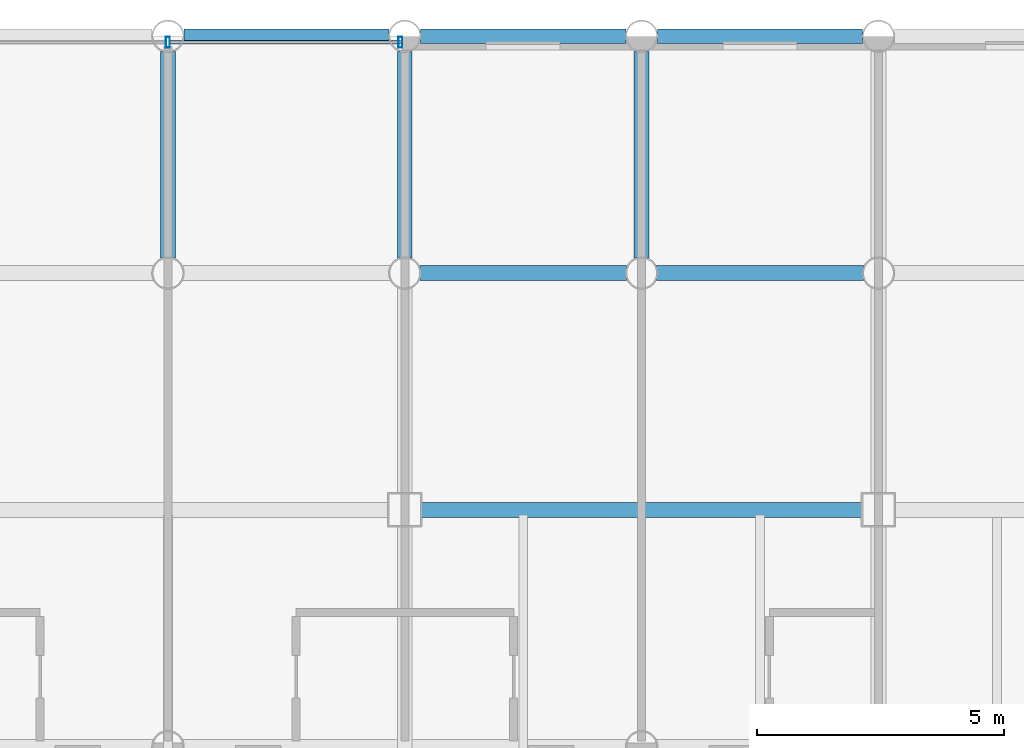
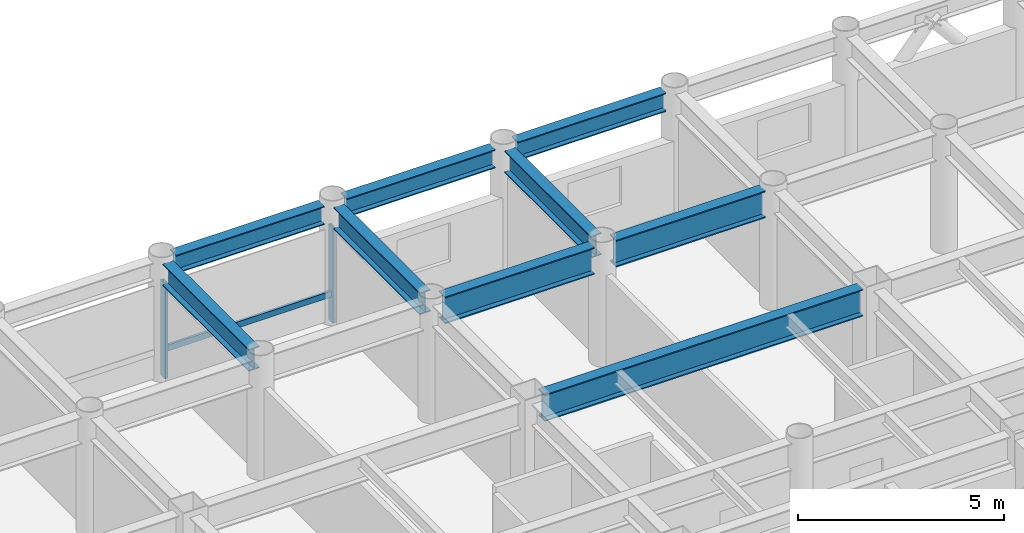
# One storey, part 13 of 20: 9 beams, 3 members, 1 element without a shape of its own.
"""IFC4 building model written with IfcOpenShell, lengths in metres."""

from ifc_helpers import new_model, si_unit, direction, frame, origin, origin_2d, place, context, subcontext, project, spatial, hollow_rectangle, i_section, extrude, material, layer, layer_set, material_profile, profile_set, type_object, element, aggregate, save


model = new_model("IFC4")

# Units and contexts
model_context = context("Model", 3, precision=1e-05, world=origin(), true_north=direction((0.0, 1.0)))
body_context = subcontext(model_context, "Body", "Model", "MODEL_VIEW")
ifc_project = project(units=[si_unit("LENGTHUNIT", "METRE"), si_unit("AREAUNIT", "SQUARE_METRE"), si_unit("VOLUMEUNIT", "CUBIC_METRE"), si_unit("PLANEANGLEUNIT", "RADIAN"), si_unit("MASSUNIT", "GRAM", prefix="KILO")], contexts=[model_context])

# Site, building, storey
site_placement = place(None, origin())
site = spatial("IfcSite", under=ifc_project, at=site_placement, CompositionType="ELEMENT")
building_placement = place(site_placement, origin())
building = spatial("IfcBuilding", under=site, at=building_placement, Name="Kallvorn Hotel Tower", CompositionType="ELEMENT")
storey_placement = place(building_placement, frame((0.0, 0.0, 132.199951171875)))
storey = spatial("IfcBuildingStorey", under=building, at=storey_placement, Name="L32", CompositionType="ELEMENT", Elevation=132.199951171875)

# Beams
ifc_material_1 = material(Name="Structural steel S355JR", Category="steel")
ifc_material_profile_1 = material_profile(ifc_material_1, i_section(OverallWidth=0.300048828125, OverallDepth=0.550048828125, WebThickness=0.014892578125, FlangeThickness=0.029052734375, at=origin_2d()), Name="HE 550 B")
ifc_profile_set_1 = profile_set([ifc_material_profile_1], Name="Structural steel S355JR")
beam_type_1 = type_object("IfcBeamType", Name="BM_HE550B", PredefinedType="SPANDREL", material=ifc_profile_set_1)
for number, where, z_axis, x_axis, name in (
    (1, (0.320068359375, 24.0, 3.2451171875), (1.0, 0.0, 0.0), (0.0, 1.0, 0.0), "L33 Perimeter Spandrel 169"),
    (2, (5.1201171875, 24.0, 3.2451171875), (1.0, 0.0, 0.0), (0.0, 1.0, 0.0), "L33 Perimeter Spandrel 170"),
):
    element("IfcBeam", number, at=place(storey_placement, frame(where, z_axis=z_axis, x_axis=x_axis)), inside=storey, type_object=beam_type_1, Name=name, PredefinedType="SPANDREL", context=body_context, shape_type="SweptSolid", body=[
        extrude(i_section(OverallWidth=0.300048828125, OverallDepth=0.550048828125, WebThickness=0.014892578125, FlangeThickness=0.029052734375, at=origin_2d()), origin(), (0.0, 0.0, 1.0), 4.159912109375),
    ])
beam_1_placement = place(storey_placement, frame((9.919921875, 24.0, 3.2451171875), z_axis=(1.0, 0.0, 0.0), x_axis=(0.0, 1.0, 0.0)))
element("IfcBeam", 3, at=beam_1_placement, inside=storey, type_object=beam_type_1, Name="L33 Perimeter Spandrel 171", PredefinedType="SPANDREL", context=body_context, shape_type="SweptSolid", body=[
    extrude(i_section(OverallWidth=0.300048828125, OverallDepth=0.550048828125, WebThickness=0.014892578125, FlangeThickness=0.029052734375, at=origin_2d()), origin(), (0.0, 0.0, 1.0), 4.16015625),
])
ifc_material_2 = material(Name="Structural steel S355JR", Category="steel")
ifc_material_profile_2 = material_profile(ifc_material_2, i_section(OverallWidth=0.300048828125, OverallDepth=0.64990234375, WebThickness=0.01611328125, FlangeThickness=0.031005859375, at=origin_2d()), Name="HE 650 B")
ifc_profile_set_2 = profile_set([ifc_material_profile_2], Name="Structural steel S355JR")
beam_type_2 = type_object("IfcBeamType", Name="BM_HE650B", PredefinedType="BEAM", material=ifc_profile_set_2)
for number, where, z_axis, x_axis, name in (
    (4, (0.0, 19.5048828125, 3.195068359375), (0.0, 1.0, 0.0), (-1.0, 0.0, 0.0), "L33 Primary Y-Girder 113"),
    (5, (4.800048828125, 19.5048828125, 3.195068359375), (0.0, 1.0, 0.0), (-1.0, 0.0, 0.0), "L33 Primary Y-Girder 118"),
    (6, (9.60009765625, 19.5048828125, 3.195068359375), (0.0, 1.0, 0.0), (-1.0, 0.0, 0.0), "L33 Primary Y-Girder 121"),
):
    element("IfcBeam", number, at=place(storey_placement, frame(where, z_axis=z_axis, x_axis=x_axis)), inside=storey, type_object=beam_type_2, Name=name, PredefinedType="BEAM", context=body_context, shape_type="SweptSolid", body=[
        extrude(i_section(OverallWidth=0.300048828125, OverallDepth=0.64990234375, WebThickness=0.01611328125, FlangeThickness=0.031005859375, at=origin_2d()), origin(), (0.0, 0.0, 1.0), 4.190185546875),
    ])
ifc_material_3 = material(Name="Structural steel S355JR", Category="steel")
ifc_material_profile_3 = material_profile(ifc_material_3, i_section(OverallWidth=0.300048828125, OverallDepth=0.800048828125, WebThickness=0.017578125, FlangeThickness=0.032958984375, at=origin_2d()), Name="HE 800 B")
ifc_profile_set_3 = profile_set([ifc_material_profile_3], Name="Structural steel S355JR")
beam_type_3 = type_object("IfcBeamType", Name="BM_HE800B", PredefinedType="BEAM", material=ifc_profile_set_3)
beam_2_placement = place(storey_placement, frame((5.125, 14.39990234375, 3.1201171875), z_axis=(1.0, 0.0, 0.0), x_axis=(0.0, 1.0, 0.0)))
element("IfcBeam", 7, at=beam_2_placement, inside=storey, type_object=beam_type_3, Name="L33 Primary X-Girder 56", PredefinedType="BEAM", context=body_context, shape_type="SweptSolid", body=[
    extrude(i_section(OverallWidth=0.300048828125, OverallDepth=0.800048828125, WebThickness=0.017578125, FlangeThickness=0.032958984375, at=origin_2d()), origin(), (0.0, 0.0, 1.0), 8.949951171875),
])
for number, where, z_axis, x_axis, name in (
    (8, (5.10498046875, 19.199951171875, 3.1201171875), (1.0, 0.0, 0.0), (0.0, 1.0, 0.0), "L33 Primary X-Girder 68"),
    (9, (9.905029296875, 19.199951171875, 3.1201171875), (1.0, 0.0, 0.0), (0.0, 1.0, 0.0), "L33 Primary X-Girder 69"),
):
    element("IfcBeam", number, at=place(storey_placement, frame(where, z_axis=z_axis, x_axis=x_axis)), inside=storey, type_object=beam_type_3, Name=name, PredefinedType="BEAM", context=body_context, shape_type="SweptSolid", body=[
        extrude(i_section(OverallWidth=0.300048828125, OverallDepth=0.800048828125, WebThickness=0.017578125, FlangeThickness=0.032958984375, at=origin_2d()), origin(), (0.0, 0.0, 1.0), 4.18994140625),
    ])

# Curtain wall, members
ifc_material_4 = material(Name="Thermally broken black-anodised aluminium AA 6063-T6", Category="aluminium")
ifc_layer = layer(ifc_material_4, 0.2099609375)
ifc_layer_set = layer_set([ifc_layer], Name="CW_SYS_4_HOTEL_MID")
curtain_wall_type = type_object("IfcCurtainWallType", Name="CW_SYS_4_HOTEL_MID", PredefinedType="USERDEFINED", material=ifc_layer_set)
curtain_wall_placement = place(storey_placement, origin())
curtain_wall = element("IfcCurtainWall", 10, at=curtain_wall_placement, inside=storey, type_object=curtain_wall_type, Name="L32 Dark-Glass Curtain Wall CW-L32-NC", ObjectType="UNITISED CURTAIN WALL", PredefinedType="USERDEFINED")
ifc_material_5 = material(Name="Thermally broken black-anodised aluminium AA 6063-T6", Category="aluminium")
ifc_material_profile_4 = material_profile(ifc_material_5, hollow_rectangle(XDim=0.080078125, YDim=0.219970703125, WallThickness=0.0048828125, at=origin_2d()), Name="MUL 220x80")
ifc_profile_set_4 = profile_set([ifc_material_profile_4], Name="Thermally broken black-anodised aluminium AA 6063-T6")
member_type_1 = type_object("IfcMemberType", Name="CW_MULLION_220x80", PredefinedType="MULLION", material=ifc_profile_set_4)
member_1_placement = place(storey_placement, frame((0.0, 23.8798828125, 0.02001953125), z_axis=(0.0, 0.0, 1.0), x_axis=(1.0, 0.0, 0.0)))
member_1 = element("IfcMember", 11, at=member_1_placement, type_object=member_type_1, Name="CW-L32-NC Mullion 01", PredefinedType="MULLION", context=body_context, shape_type="SweptSolid", body=[
    extrude(hollow_rectangle(XDim=0.080078125, YDim=0.219970703125, WallThickness=0.0048828125, at=origin_2d()), origin(), (0.0, 0.0, 1.0), 2.830078125),
])
member_2_placement = place(storey_placement, frame((4.7099609375, 23.8798828125, 0.02001953125), z_axis=(0.0, 0.0, 1.0), x_axis=(1.0, 0.0, 0.0)))
member_2 = element("IfcMember", 12, at=member_2_placement, type_object=member_type_1, Name="CW-L32-NC Mullion 02", PredefinedType="MULLION", context=body_context, shape_type="SweptSolid", body=[
    extrude(hollow_rectangle(XDim=0.080078125, YDim=0.219970703125, WallThickness=0.0048828125, at=origin_2d()), origin(), (0.0, 0.0, 1.0), 2.830078125),
])
ifc_material_6 = material(Name="Thermally broken black-anodised aluminium AA 6063-T6", Category="aluminium")
ifc_material_profile_5 = material_profile(ifc_material_6, hollow_rectangle(XDim=0.070068359375, YDim=0.179931640625, WallThickness=0.00390625, at=origin_2d()), Name="TRN 180x70")
ifc_profile_set_5 = profile_set([ifc_material_profile_5], Name="Thermally broken black-anodised aluminium AA 6063-T6")
member_type_2 = type_object("IfcMemberType", Name="CW_TRANSOM_180x70", PredefinedType="USERDEFINED", material=ifc_profile_set_5)
member_3_placement = place(storey_placement, frame((0.0400390625, 23.8798828125, 0.85009765625), z_axis=(1.0, 0.0, 0.0), x_axis=(0.0, 1.0, 0.0)))
member_3 = element("IfcMember", 13, at=member_3_placement, type_object=member_type_2, Name="CW-L32-NC Transom 01M", ObjectType="TRANSOM", PredefinedType="USERDEFINED", context=body_context, shape_type="SweptSolid", body=[
    extrude(hollow_rectangle(XDim=0.070068359375, YDim=0.179931640625, WallThickness=0.00390625, at=origin_2d()), origin(), (0.0, 0.0, 1.0), 4.669921875),
])
aggregate(curtain_wall, [member_1, member_2, member_3])

save(model, "model.ifc")
